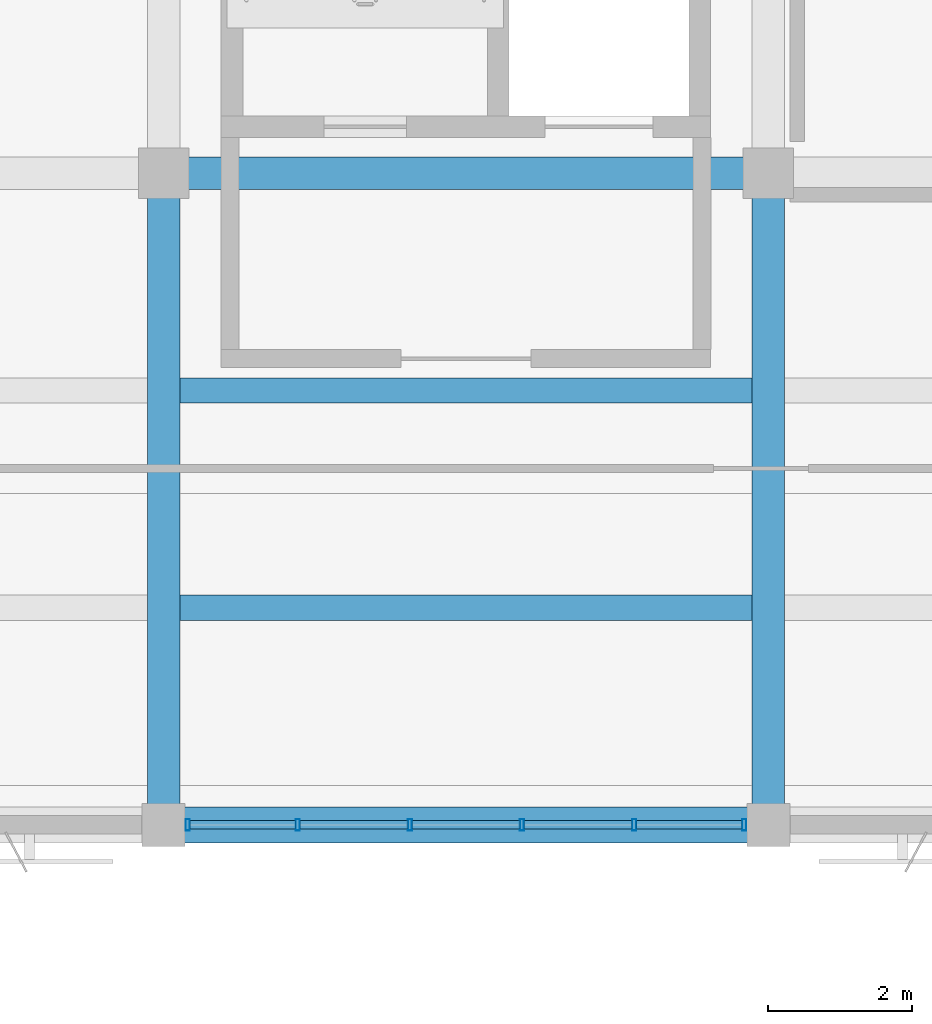
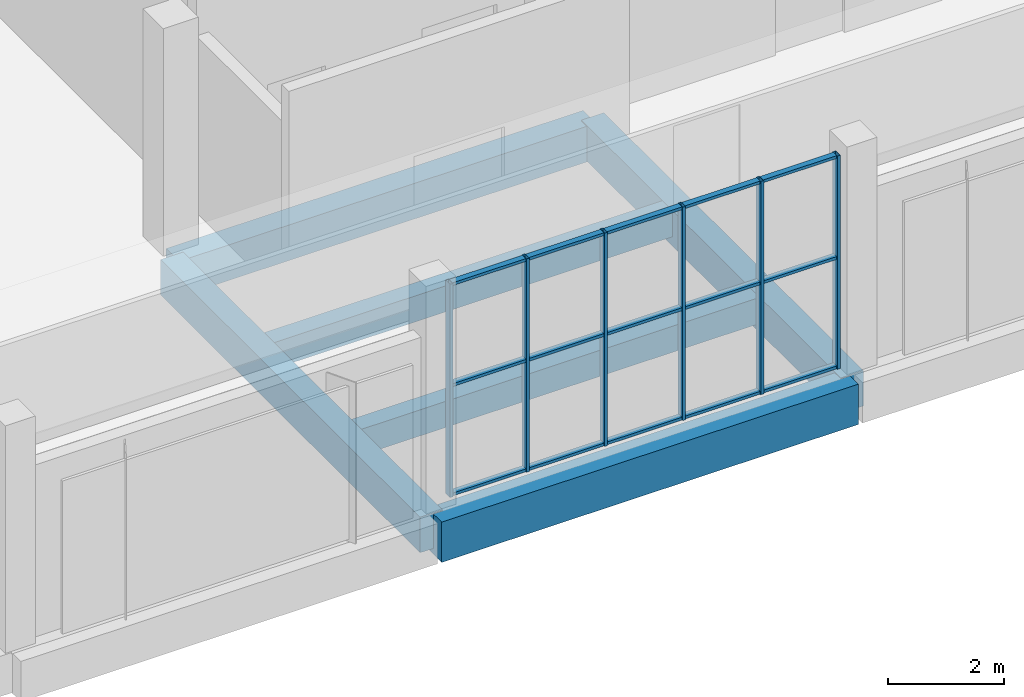
# One storey, part 30 of 80: 21 members, 6 beams, 1 element without a shape of its own.
"""IFC4 building model written with IfcOpenShell, lengths in metres."""

from ifc_helpers import new_model, si_unit, direction, frame, origin, origin_2d, place, context, subcontext, project, spatial, rectangle, hollow_rectangle, extrude, material, material_profile, profile_set, type_object, element, aggregate, save


model = new_model("IFC4")

# Units and contexts
model_context = context("Model", 3, precision=1e-05, world=origin(), true_north=direction((0.0, 1.0)))
body_context = subcontext(model_context, "Body", "Model", "MODEL_VIEW")
ifc_project = project(units=[si_unit("LENGTHUNIT", "METRE"), si_unit("AREAUNIT", "SQUARE_METRE"), si_unit("VOLUMEUNIT", "CUBIC_METRE"), si_unit("PLANEANGLEUNIT", "RADIAN"), si_unit("MASSUNIT", "GRAM", prefix="KILO")], contexts=[model_context])

# Site, building, storey
site_placement = place(None, origin())
site = spatial("IfcSite", under=ifc_project, at=site_placement, CompositionType="ELEMENT")
building_placement = place(site_placement, origin())
building = spatial("IfcBuilding", under=site, at=building_placement, Name="Khurvash Pelagic Aquarium", CompositionType="ELEMENT")
storey_placement = place(building_placement, frame((0.0, 0.0, 10.800048828125)))
storey = spatial("IfcBuildingStorey", under=building, at=storey_placement, Name="L02", CompositionType="ELEMENT", Elevation=10.800048828125)

# Beams
ifc_material_1 = material(Name="Concrete C35/45", Category="concrete")
ifc_material_profile_1 = material_profile(ifc_material_1, rectangle(XDim=0.449951171875, YDim=0.75, at=origin_2d()), Name="RC450X750")
ifc_profile_set_1 = profile_set([ifc_material_profile_1], Name="Concrete C35/45")
beam_type_1 = type_object("IfcBeamType", Name="BM-04", PredefinedType="BEAM", material=ifc_profile_set_1)
beam_1_placement = place(storey_placement, frame((67.239990234375, 93.10009765625, -0.695068359375), z_axis=(1.0, 0.0, 0.0), x_axis=(0.0, 1.0, 0.0)))
element("IfcBeam", 1, at=beam_1_placement, inside=storey, type_object=beam_type_1, Name="L02 Primary Girder BM-04 00633", PredefinedType="BEAM", context=body_context, shape_type="SweptSolid", body=[
    extrude(rectangle(XDim=0.449951171875, YDim=0.75, at=origin_2d()), origin(), (0.0, 0.0, 1.0), 8.320068359375),
])
for number, where, z_axis, x_axis, name in (
    (2, (67.199951171875, 84.090087890625, -0.675048828125), (0.0, 1.0, 0.0), (-1.0, 0.0, 0.0), "L02 Primary Girder BM-04 00689"),
    (3, (75.60009765625, 84.090087890625, -0.675048828125), (0.0, 1.0, 0.0), (-1.0, 0.0, 0.0), "L02 Primary Girder BM-04 00693"),
):
    element("IfcBeam", number, at=place(storey_placement, frame(where, z_axis=z_axis, x_axis=x_axis)), inside=storey, type_object=beam_type_1, Name=name, PredefinedType="BEAM", context=body_context, shape_type="SweptSolid", body=[
        extrude(rectangle(XDim=0.449951171875, YDim=0.75, at=origin_2d()), origin(), (0.0, 0.0, 1.0), 8.969970703125),
    ])

# Curtain wall, members
ifc_material_2 = material(Name="Anodised aluminium and low-E laminated glass", Category="aluminium")
curtain_wall_type = type_object("IfcCurtainWallType", Name="CW-06", PredefinedType="USERDEFINED", material=ifc_material_2)
curtain_wall_placement = place(storey_placement, origin())
curtain_wall = element("IfcCurtainWall", 4, at=curtain_wall_placement, inside=storey, type_object=curtain_wall_type, Name="L02 Facade Unitised Curtain Wall CW-06 0170", ObjectType="UNITISED CURTAIN WALL", PredefinedType="USERDEFINED")
ifc_material_3 = material(Name="Extruded aluminium AW-6063-T6", Category="aluminium")
ifc_material_profile_2 = material_profile(ifc_material_3, hollow_rectangle(XDim=0.06005859375, YDim=0.159912109375, WallThickness=0.00390625, at=origin_2d()), Name="CWM60X160X4")
ifc_profile_set_2 = profile_set([ifc_material_profile_2], Name="Extruded aluminium AW-6063-T6")
member_type_1 = type_object("IfcMemberType", Name="CM-02", PredefinedType="MULLION", material=ifc_profile_set_2)
member_1_placement = place(storey_placement, frame((67.534912109375, 84.050048828125, 0.0), z_axis=(0.0, 0.0, 1.0), x_axis=(1.0, 0.0, 0.0)))
member_1 = element("IfcMember", 5, at=member_1_placement, type_object=member_type_1, Name="CW-06 mullion 1", PredefinedType="MULLION", context=body_context, shape_type="SweptSolid", body=[
    extrude(hollow_rectangle(XDim=0.06005859375, YDim=0.159912109375, WallThickness=0.00390625, at=origin_2d()), origin(), (0.0, 0.0, 1.0), 4.5),
])
member_2_placement = place(storey_placement, frame((69.06298828125, 84.050048828125, 0.0), z_axis=(0.0, 0.0, 1.0), x_axis=(1.0, 0.0, 0.0)))
member_2 = element("IfcMember", 6, at=member_2_placement, type_object=member_type_1, Name="CW-06 mullion 2", PredefinedType="MULLION", context=body_context, shape_type="SweptSolid", body=[
    extrude(hollow_rectangle(XDim=0.06005859375, YDim=0.159912109375, WallThickness=0.00390625, at=origin_2d()), origin(), (0.0, 0.0, 1.0), 4.5),
])
member_3_placement = place(storey_placement, frame((70.62109375, 84.050048828125, 0.0), z_axis=(0.0, 0.0, 1.0), x_axis=(1.0, 0.0, 0.0)))
member_3 = element("IfcMember", 7, at=member_3_placement, type_object=member_type_1, Name="CW-06 mullion 3", PredefinedType="MULLION", context=body_context, shape_type="SweptSolid", body=[
    extrude(hollow_rectangle(XDim=0.06005859375, YDim=0.159912109375, WallThickness=0.00390625, at=origin_2d()), origin(), (0.0, 0.0, 1.0), 4.5),
])
member_4_placement = place(storey_placement, frame((72.178955078125, 84.050048828125, 0.0), z_axis=(0.0, 0.0, 1.0), x_axis=(1.0, 0.0, 0.0)))
member_4 = element("IfcMember", 8, at=member_4_placement, type_object=member_type_1, Name="CW-06 mullion 4", PredefinedType="MULLION", context=body_context, shape_type="SweptSolid", body=[
    extrude(hollow_rectangle(XDim=0.06005859375, YDim=0.159912109375, WallThickness=0.00390625, at=origin_2d()), origin(), (0.0, 0.0, 1.0), 4.5),
])
member_5_placement = place(storey_placement, frame((73.737060546875, 84.050048828125, 0.0), z_axis=(0.0, 0.0, 1.0), x_axis=(1.0, 0.0, 0.0)))
member_5 = element("IfcMember", 9, at=member_5_placement, type_object=member_type_1, Name="CW-06 mullion 5", PredefinedType="MULLION", context=body_context, shape_type="SweptSolid", body=[
    extrude(hollow_rectangle(XDim=0.06005859375, YDim=0.159912109375, WallThickness=0.00390625, at=origin_2d()), origin(), (0.0, 0.0, 1.0), 4.5),
])
member_6_placement = place(storey_placement, frame((75.264892578125, 84.050048828125, 0.0), z_axis=(0.0, 0.0, 1.0), x_axis=(1.0, 0.0, 0.0)))
member_6 = element("IfcMember", 10, at=member_6_placement, type_object=member_type_1, Name="CW-06 mullion 6", PredefinedType="MULLION", context=body_context, shape_type="SweptSolid", body=[
    extrude(hollow_rectangle(XDim=0.06005859375, YDim=0.159912109375, WallThickness=0.00390625, at=origin_2d()), origin(), (0.0, 0.0, 1.0), 4.5),
])
ifc_material_profile_3 = material_profile(ifc_material_3, hollow_rectangle(XDim=0.1201171875, YDim=0.06005859375, WallThickness=0.00390625, at=origin_2d()), Name="CWT120X60X4")
ifc_profile_set_3 = profile_set([ifc_material_profile_3], Name="Extruded aluminium AW-6063-T6")
member_type_2 = type_object("IfcMemberType", Name="CT-02", PredefinedType="USERDEFINED", material=ifc_profile_set_3)
member_7_placement = place(storey_placement, frame((67.56494140625, 84.050048828125, 0.030029296875), z_axis=(1.0, 0.0, 0.0), x_axis=(0.0, 1.0, 0.0)))
member_7 = element("IfcMember", 11, at=member_7_placement, type_object=member_type_2, Name="CW-06 transom 1.1", ObjectType="TRANSOM", PredefinedType="USERDEFINED", context=body_context, shape_type="SweptSolid", body=[
    extrude(hollow_rectangle(XDim=0.1201171875, YDim=0.06005859375, WallThickness=0.00390625, at=origin_2d()), origin(), (0.0, 0.0, 1.0), 1.468017578125),
])
member_8_placement = place(storey_placement, frame((67.56494140625, 84.050048828125, 2.33984375), z_axis=(1.0, 0.0, 0.0), x_axis=(0.0, 1.0, 0.0)))
member_8 = element("IfcMember", 12, at=member_8_placement, type_object=member_type_2, Name="CW-06 transom 1.2", ObjectType="TRANSOM", PredefinedType="USERDEFINED", context=body_context, shape_type="SweptSolid", body=[
    extrude(hollow_rectangle(XDim=0.1201171875, YDim=0.06005859375, WallThickness=0.00390625, at=origin_2d()), origin(), (0.0, 0.0, 1.0), 1.468017578125),
])
member_9_placement = place(storey_placement, frame((67.56494140625, 84.050048828125, 4.469970703125), z_axis=(1.0, 0.0, 0.0), x_axis=(0.0, 1.0, 0.0)))
member_9 = element("IfcMember", 13, at=member_9_placement, type_object=member_type_2, Name="CW-06 transom 1.3", ObjectType="TRANSOM", PredefinedType="USERDEFINED", context=body_context, shape_type="SweptSolid", body=[
    extrude(hollow_rectangle(XDim=0.1201171875, YDim=0.06005859375, WallThickness=0.00390625, at=origin_2d()), origin(), (0.0, 0.0, 1.0), 1.468017578125),
])
member_10_placement = place(storey_placement, frame((69.093017578125, 84.050048828125, 0.030029296875), z_axis=(1.0, 0.0, 0.0), x_axis=(0.0, 1.0, 0.0)))
member_10 = element("IfcMember", 14, at=member_10_placement, type_object=member_type_2, Name="CW-06 transom 2.1", ObjectType="TRANSOM", PredefinedType="USERDEFINED", context=body_context, shape_type="SweptSolid", body=[
    extrude(hollow_rectangle(XDim=0.1201171875, YDim=0.06005859375, WallThickness=0.00390625, at=origin_2d()), origin(), (0.0, 0.0, 1.0), 1.498046875),
])
member_11_placement = place(storey_placement, frame((69.093017578125, 84.050048828125, 2.33984375), z_axis=(1.0, 0.0, 0.0), x_axis=(0.0, 1.0, 0.0)))
member_11 = element("IfcMember", 15, at=member_11_placement, type_object=member_type_2, Name="CW-06 transom 2.2", ObjectType="TRANSOM", PredefinedType="USERDEFINED", context=body_context, shape_type="SweptSolid", body=[
    extrude(hollow_rectangle(XDim=0.1201171875, YDim=0.06005859375, WallThickness=0.00390625, at=origin_2d()), origin(), (0.0, 0.0, 1.0), 1.498046875),
])
member_12_placement = place(storey_placement, frame((69.093017578125, 84.050048828125, 4.469970703125), z_axis=(1.0, 0.0, 0.0), x_axis=(0.0, 1.0, 0.0)))
member_12 = element("IfcMember", 16, at=member_12_placement, type_object=member_type_2, Name="CW-06 transom 2.3", ObjectType="TRANSOM", PredefinedType="USERDEFINED", context=body_context, shape_type="SweptSolid", body=[
    extrude(hollow_rectangle(XDim=0.1201171875, YDim=0.06005859375, WallThickness=0.00390625, at=origin_2d()), origin(), (0.0, 0.0, 1.0), 1.498046875),
])
member_13_placement = place(storey_placement, frame((70.65087890625, 84.050048828125, 0.030029296875), z_axis=(1.0, 0.0, 0.0), x_axis=(0.0, 1.0, 0.0)))
member_13 = element("IfcMember", 17, at=member_13_placement, type_object=member_type_2, Name="CW-06 transom 3.1", ObjectType="TRANSOM", PredefinedType="USERDEFINED", context=body_context, shape_type="SweptSolid", body=[
    extrude(hollow_rectangle(XDim=0.1201171875, YDim=0.06005859375, WallThickness=0.00390625, at=origin_2d()), origin(), (0.0, 0.0, 1.0), 1.498046875),
])
member_14_placement = place(storey_placement, frame((70.65087890625, 84.050048828125, 2.33984375), z_axis=(1.0, 0.0, 0.0), x_axis=(0.0, 1.0, 0.0)))
member_14 = element("IfcMember", 18, at=member_14_placement, type_object=member_type_2, Name="CW-06 transom 3.2", ObjectType="TRANSOM", PredefinedType="USERDEFINED", context=body_context, shape_type="SweptSolid", body=[
    extrude(hollow_rectangle(XDim=0.1201171875, YDim=0.06005859375, WallThickness=0.00390625, at=origin_2d()), origin(), (0.0, 0.0, 1.0), 1.498046875),
])
member_15_placement = place(storey_placement, frame((70.65087890625, 84.050048828125, 4.469970703125), z_axis=(1.0, 0.0, 0.0), x_axis=(0.0, 1.0, 0.0)))
member_15 = element("IfcMember", 19, at=member_15_placement, type_object=member_type_2, Name="CW-06 transom 3.3", ObjectType="TRANSOM", PredefinedType="USERDEFINED", context=body_context, shape_type="SweptSolid", body=[
    extrude(hollow_rectangle(XDim=0.1201171875, YDim=0.06005859375, WallThickness=0.00390625, at=origin_2d()), origin(), (0.0, 0.0, 1.0), 1.498046875),
])
member_16_placement = place(storey_placement, frame((72.208984375, 84.050048828125, 0.030029296875), z_axis=(1.0, 0.0, 0.0), x_axis=(0.0, 1.0, 0.0)))
member_16 = element("IfcMember", 20, at=member_16_placement, type_object=member_type_2, Name="CW-06 transom 4.1", ObjectType="TRANSOM", PredefinedType="USERDEFINED", context=body_context, shape_type="SweptSolid", body=[
    extrude(hollow_rectangle(XDim=0.1201171875, YDim=0.06005859375, WallThickness=0.00390625, at=origin_2d()), origin(), (0.0, 0.0, 1.0), 1.498046875),
])
member_17_placement = place(storey_placement, frame((72.208984375, 84.050048828125, 2.33984375), z_axis=(1.0, 0.0, 0.0), x_axis=(0.0, 1.0, 0.0)))
member_17 = element("IfcMember", 21, at=member_17_placement, type_object=member_type_2, Name="CW-06 transom 4.2", ObjectType="TRANSOM", PredefinedType="USERDEFINED", context=body_context, shape_type="SweptSolid", body=[
    extrude(hollow_rectangle(XDim=0.1201171875, YDim=0.06005859375, WallThickness=0.00390625, at=origin_2d()), origin(), (0.0, 0.0, 1.0), 1.498046875),
])
member_18_placement = place(storey_placement, frame((72.208984375, 84.050048828125, 4.469970703125), z_axis=(1.0, 0.0, 0.0), x_axis=(0.0, 1.0, 0.0)))
member_18 = element("IfcMember", 22, at=member_18_placement, type_object=member_type_2, Name="CW-06 transom 4.3", ObjectType="TRANSOM", PredefinedType="USERDEFINED", context=body_context, shape_type="SweptSolid", body=[
    extrude(hollow_rectangle(XDim=0.1201171875, YDim=0.06005859375, WallThickness=0.00390625, at=origin_2d()), origin(), (0.0, 0.0, 1.0), 1.498046875),
])
member_19_placement = place(storey_placement, frame((73.76708984375, 84.050048828125, 0.030029296875), z_axis=(1.0, 0.0, 0.0), x_axis=(0.0, 1.0, 0.0)))
member_19 = element("IfcMember", 23, at=member_19_placement, type_object=member_type_2, Name="CW-06 transom 5.1", ObjectType="TRANSOM", PredefinedType="USERDEFINED", context=body_context, shape_type="SweptSolid", body=[
    extrude(hollow_rectangle(XDim=0.1201171875, YDim=0.06005859375, WallThickness=0.00390625, at=origin_2d()), origin(), (0.0, 0.0, 1.0), 1.468017578125),
])
member_20_placement = place(storey_placement, frame((73.76708984375, 84.050048828125, 2.33984375), z_axis=(1.0, 0.0, 0.0), x_axis=(0.0, 1.0, 0.0)))
member_20 = element("IfcMember", 24, at=member_20_placement, type_object=member_type_2, Name="CW-06 transom 5.2", ObjectType="TRANSOM", PredefinedType="USERDEFINED", context=body_context, shape_type="SweptSolid", body=[
    extrude(hollow_rectangle(XDim=0.1201171875, YDim=0.06005859375, WallThickness=0.00390625, at=origin_2d()), origin(), (0.0, 0.0, 1.0), 1.468017578125),
])
member_21_placement = place(storey_placement, frame((73.76708984375, 84.050048828125, 4.469970703125), z_axis=(1.0, 0.0, 0.0), x_axis=(0.0, 1.0, 0.0)))
member_21 = element("IfcMember", 25, at=member_21_placement, type_object=member_type_2, Name="CW-06 transom 5.3", ObjectType="TRANSOM", PredefinedType="USERDEFINED", context=body_context, shape_type="SweptSolid", body=[
    extrude(hollow_rectangle(XDim=0.1201171875, YDim=0.06005859375, WallThickness=0.00390625, at=origin_2d()), origin(), (0.0, 0.0, 1.0), 1.468017578125),
])
aggregate(curtain_wall, [member_1, member_2, member_3, member_4, member_5, member_6, member_7, member_8, member_9, member_10, member_11, member_12, member_13, member_14, member_15, member_16, member_17, member_18, member_19, member_20, member_21])

# Beams
ifc_material_profile_4 = material_profile(ifc_material_1, rectangle(XDim=0.35009765625, YDim=0.550048828125, at=origin_2d()), Name="RC350X550")
ifc_profile_set_4 = profile_set([ifc_material_profile_4], Name="Concrete C35/45")
beam_type_2 = type_object("IfcBeamType", Name="JS-01", PredefinedType="JOIST", material=ifc_profile_set_4)
for number, where, z_axis, x_axis, name in (
    (26, (67.425048828125, 87.06689453125, -0.574951171875), (1.0, 0.0, 0.0), (0.0, 1.0, 0.0), "L02 Floor Joist JS-01 00785"),
    (27, (67.425048828125, 90.0830078125, -0.574951171875), (1.0, 0.0, 0.0), (0.0, 1.0, 0.0), "L02 Floor Joist JS-01 00786"),
):
    element("IfcBeam", number, at=place(storey_placement, frame(where, z_axis=z_axis, x_axis=x_axis)), inside=storey, type_object=beam_type_2, Name=name, PredefinedType="JOIST", context=body_context, shape_type="SweptSolid", body=[
        extrude(rectangle(XDim=0.35009765625, YDim=0.550048828125, at=origin_2d()), origin(), (0.0, 0.0, 1.0), 7.949951171875),
    ])
ifc_material_4 = material(Name="Concrete C40/50", Category="concrete")
ifc_material_profile_5 = material_profile(ifc_material_4, rectangle(XDim=0.5, YDim=0.85009765625, at=origin_2d()), Name="RC500X850")
ifc_profile_set_5 = profile_set([ifc_material_profile_5], Name="Concrete C40/50")
beam_type_3 = type_object("IfcBeamType", Name="SEB-03", PredefinedType="SPANDREL", material=ifc_profile_set_5)
beam_2_placement = place(storey_placement, frame((67.239990234375, 84.050048828125, -0.7451171875), z_axis=(1.0, 0.0, 0.0), x_axis=(0.0, 1.0, 0.0)))
element("IfcBeam", 28, at=beam_2_placement, inside=storey, type_object=beam_type_3, Name="L02 Primary Girder SEB-03 00617", PredefinedType="SPANDREL", context=body_context, shape_type="SweptSolid", body=[
    extrude(rectangle(XDim=0.5, YDim=0.85009765625, at=origin_2d()), origin(), (0.0, 0.0, 1.0), 8.320068359375),
])

save(model, "model.ifc")
